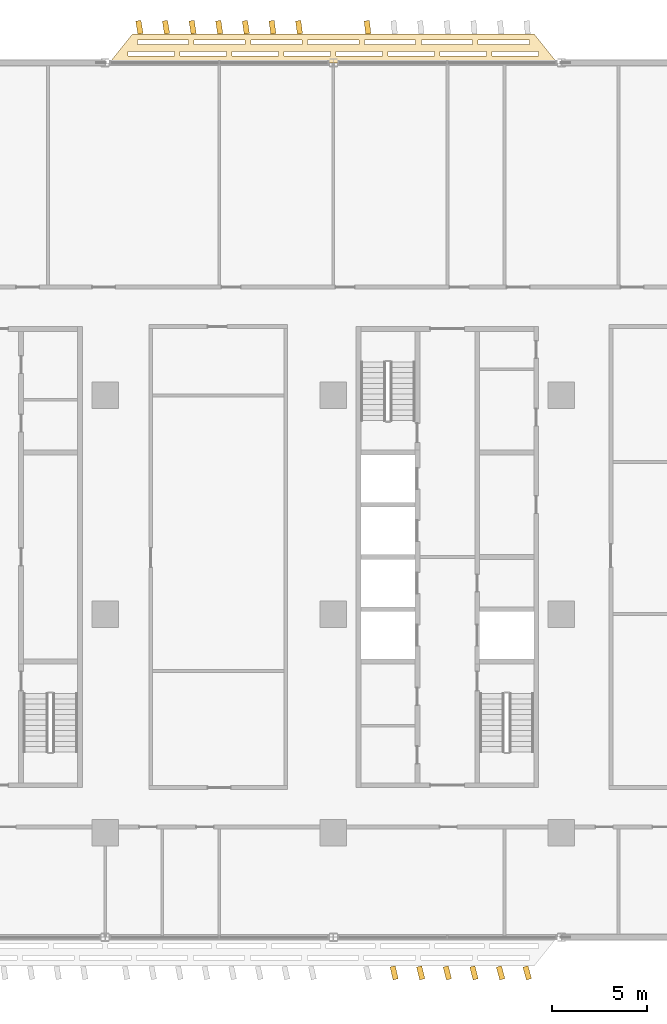
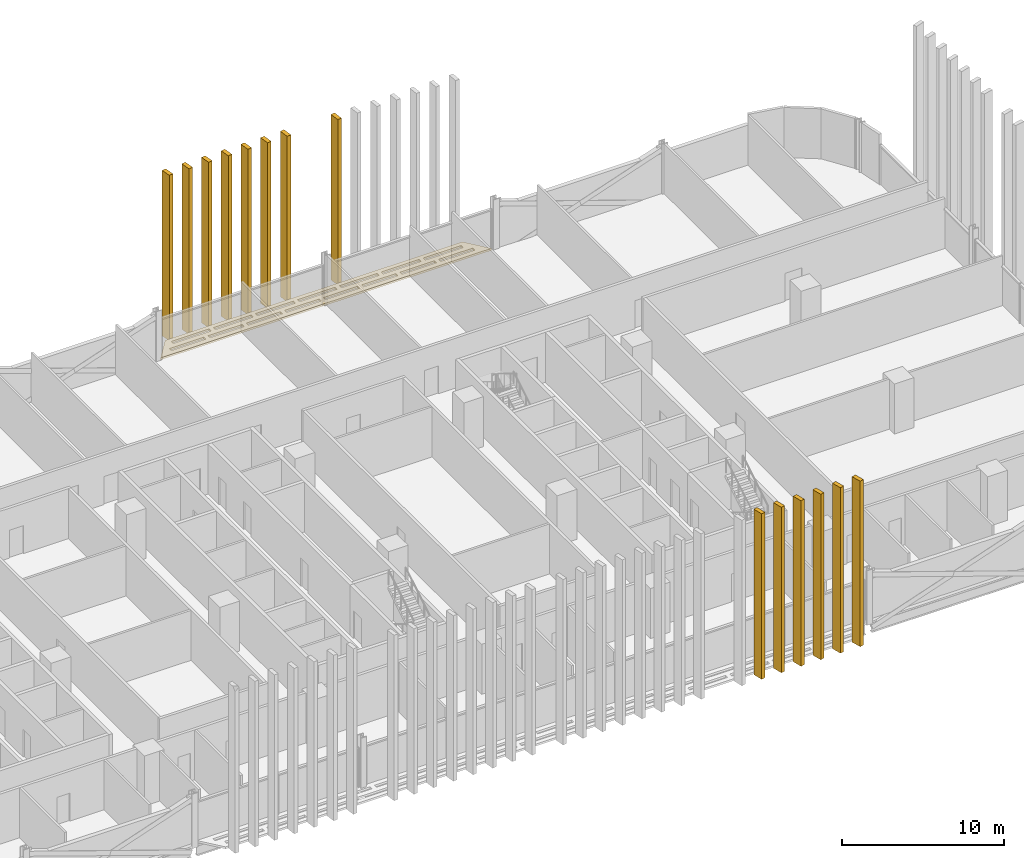
# One storey, part 28 of 31: 15 coverings.
"""IFC4 building model written with IfcOpenShell, lengths in metres."""

from ifc_helpers import new_model, si_unit, direction, frame, origin, origin_2d, place, context, subcontext, project, spatial, polyline, rectangle, outline, extrude, material, layer, layer_set, type_object, element, save


model = new_model("IFC4")

# Units and contexts
model_context = context("Model", 3, precision=1e-05, world=origin(), true_north=direction((0.0, 1.0)))
body_context = subcontext(model_context, "Body", "Model", "MODEL_VIEW")
ifc_project = project(units=[si_unit("LENGTHUNIT", "METRE"), si_unit("AREAUNIT", "SQUARE_METRE"), si_unit("VOLUMEUNIT", "CUBIC_METRE"), si_unit("PLANEANGLEUNIT", "RADIAN"), si_unit("MASSUNIT", "GRAM", prefix="KILO")], contexts=[model_context])

# Site, building, storey
site_placement = place(None, origin())
site = spatial("IfcSite", under=ifc_project, at=site_placement, CompositionType="ELEMENT")
building_placement = place(site_placement, origin())
building = spatial("IfcBuilding", under=site, at=building_placement, Name="Mahtab Terrace Research Tower", CompositionType="ELEMENT")
storey_placement = place(building_placement, frame((0.0, 0.0, 101.199951171875)))
storey = spatial("IfcBuildingStorey", under=building, at=storey_placement, Name="L23", CompositionType="ELEMENT", Elevation=101.199951171875)

# Coverings
ifc_material_1 = material(Name="Black anodised aluminium", Category="aluminium")
ifc_layer_1 = layer(ifc_material_1, 0.14990234375)
ifc_layer_set_1 = layer_set([ifc_layer_1], Name="Horizontal sunshade band")
covering_type_1 = type_object("IfcCoveringType", Name="Horizontal sunshade band", PredefinedType="CLADDING", material=ifc_layer_set_1)
covering_placement = place(storey_placement, frame((0.0, 0.0, -0.14990234375)))
element("IfcCovering", 1, at=covering_placement, inside=storey, type_object=covering_type_1, Name="Sunshade band L23 5", PredefinedType="CLADDING", context=body_context, shape_type="SweptSolid", body=[
    extrude(outline(polyline([(29.77197265625, 29.0), (6.22802734375, 29.0), (7.427978515625, 30.5), (28.572021484375, 30.5), (29.77197265625, 29.0)]), holes=[polyline([(28.7919921875, 29.35009765625), (26.35595703125, 29.35009765625), (26.35595703125, 29.60009765625), (28.7919921875, 29.60009765625), (28.7919921875, 29.35009765625)]), polyline([(26.055908203125, 29.35009765625), (23.62109375, 29.35009765625), (23.62109375, 29.60009765625), (26.055908203125, 29.60009765625), (26.055908203125, 29.35009765625)]), polyline([(23.321044921875, 29.35009765625), (20.885009765625, 29.35009765625), (20.885009765625, 29.60009765625), (23.321044921875, 29.60009765625), (23.321044921875, 29.35009765625)]), polyline([(20.5849609375, 29.35009765625), (18.14990234375, 29.35009765625), (18.14990234375, 29.60009765625), (20.5849609375, 29.60009765625), (20.5849609375, 29.35009765625)]), polyline([(17.85009765625, 29.35009765625), (15.4150390625, 29.35009765625), (15.4150390625, 29.60009765625), (17.85009765625, 29.60009765625), (17.85009765625, 29.35009765625)]), polyline([(15.114013671875, 29.35009765625), (12.678955078125, 29.35009765625), (12.678955078125, 29.60009765625), (15.114013671875, 29.60009765625), (15.114013671875, 29.35009765625)]), polyline([(12.37890625, 29.35009765625), (9.944091796875, 29.35009765625), (9.944091796875, 29.60009765625), (12.37890625, 29.60009765625), (12.37890625, 29.35009765625)]), polyline([(9.64404296875, 29.35009765625), (7.2080078125, 29.35009765625), (7.2080078125, 29.60009765625), (9.64404296875, 29.60009765625), (9.64404296875, 29.35009765625)]), polyline([(28.31201171875, 29.949951171875), (25.623046875, 29.949951171875), (25.623046875, 30.199951171875), (28.31201171875, 30.199951171875), (28.31201171875, 29.949951171875)]), polyline([(25.322998046875, 29.949951171875), (22.634033203125, 29.949951171875), (22.634033203125, 30.199951171875), (25.322998046875, 30.199951171875), (25.322998046875, 29.949951171875)]), polyline([(22.333984375, 29.949951171875), (19.64501953125, 29.949951171875), (19.64501953125, 30.199951171875), (22.333984375, 30.199951171875), (22.333984375, 29.949951171875)]), polyline([(19.344970703125, 29.949951171875), (16.655029296875, 29.949951171875), (16.655029296875, 30.199951171875), (19.344970703125, 30.199951171875), (19.344970703125, 29.949951171875)]), polyline([(16.35498046875, 29.949951171875), (13.666015625, 29.949951171875), (13.666015625, 30.199951171875), (16.35498046875, 30.199951171875), (16.35498046875, 29.949951171875)]), polyline([(13.365966796875, 29.949951171875), (10.677001953125, 29.949951171875), (10.677001953125, 30.199951171875), (13.365966796875, 30.199951171875), (13.365966796875, 29.949951171875)]), polyline([(10.376953125, 29.949951171875), (7.68798828125, 29.949951171875), (7.68798828125, 30.199951171875), (10.376953125, 30.199951171875), (10.376953125, 29.949951171875)])]), origin(), (0.0, 0.0, 1.0), 0.14990234375),
])
ifc_material_2 = material(Name="Bronze anodised aluminium", Category="aluminium")
ifc_layer_2 = layer(ifc_material_2, 0.1201171875)
ifc_layer_set_2 = layer_set([ifc_layer_2], Name="Vertical fin 700")
covering_type_2 = type_object("IfcCoveringType", Name="Vertical fin 700", PredefinedType="CLADDING", material=ifc_layer_set_2)
for number, where, z_axis, x_axis, name in (
    (2, (19.800048828125, 30.864013671875, -0.14990234375), (0.0, 0.0, 1.0), (-0.993141528832, -0.116918363435, 0.0), "Fin L23 N7"),
    (3, (16.199951171875, 30.865478515625, -0.14990234375), (0.0, 0.0, 1.0), (-0.991281368707, -0.131762088833, 0.0), "Fin L23 N1"),
    (4, (14.800048828125, 30.865966796875, -0.14990234375), (0.0, 0.0, 1.0), (-0.990498036675, -0.137526867716, 0.0), "Fin L23 N2"),
    (5, (13.39990234375, 30.866455078125, -0.14990234375), (0.0, 0.0, 1.0), (-0.989681179966, -0.143286991809, 0.0), "Fin L23 N3"),
    (6, (12.0, 30.866943359375, -0.14990234375), (0.0, 0.0, 1.0), (-0.988830826226, -0.149042266169, 0.0), "Fin L23 N4"),
    (7, (10.60009765625, 30.867431640625, -0.14990234375), (0.0, 0.0, 1.0), (-0.987947004235, -0.154792496019, 0.0), "Fin L23 N5"),
    (8, (9.199951171875, 30.867919921875, -0.14990234375), (0.0, 0.0, 1.0), (-0.98702974391, -0.160537486702, 0.0), "Fin L23 N6"),
    (9, (7.800048828125, 30.868408203125, -0.14990234375), (0.0, 0.0, 1.0), (-0.986079076296, -0.166277043787, 0.0), "Fin L23 N7"),
    (10, (21.199951171875, -18.873046875, -0.14990234375), (0.0, 0.0, 1.0), (0.971882775364, 0.235465222381, 0.0), "Fin L23 S2"),
    (11, (22.60009765625, -18.87353515625, -0.14990234375), (0.0, 0.0, 1.0), (0.970496454648, 0.24111539046, 0.0), "Fin L23 S3"),
    (12, (24.0, -18.873779296875, -0.14990234375), (0.0, 0.0, 1.0), (0.969077286228, 0.246757397695, 0.0), "Fin L23 S4"),
    (13, (25.39990234375, -18.8740234375, -0.14990234375), (0.0, 0.0, 1.0), (0.967625318147, 0.252391053092, 0.0), "Fin L23 S5"),
    (14, (26.800048828125, -18.874267578125, -0.14990234375), (0.0, 0.0, 1.0), (0.966140599544, 0.25801616599, 0.0), "Fin L23 S6"),
    (15, (28.199951171875, -18.87451171875, -0.14990234375), (0.0, 0.0, 1.0), (0.964623180667, 0.263632546017, 0.0), "Fin L23 S7"),
):
    element("IfcCovering", number, at=place(storey_placement, frame(where, z_axis=z_axis, x_axis=x_axis)), inside=storey, type_object=covering_type_2, Name=name, PredefinedType="CLADDING", context=body_context, shape_type="SweptSolid", body=[
        extrude(rectangle(XDim=0.280029296875, YDim=0.699951171875, at=origin_2d()), origin(), (0.0, 0.0, 1.0), 12.449951171875),
    ])

save(model, "model.ifc")
